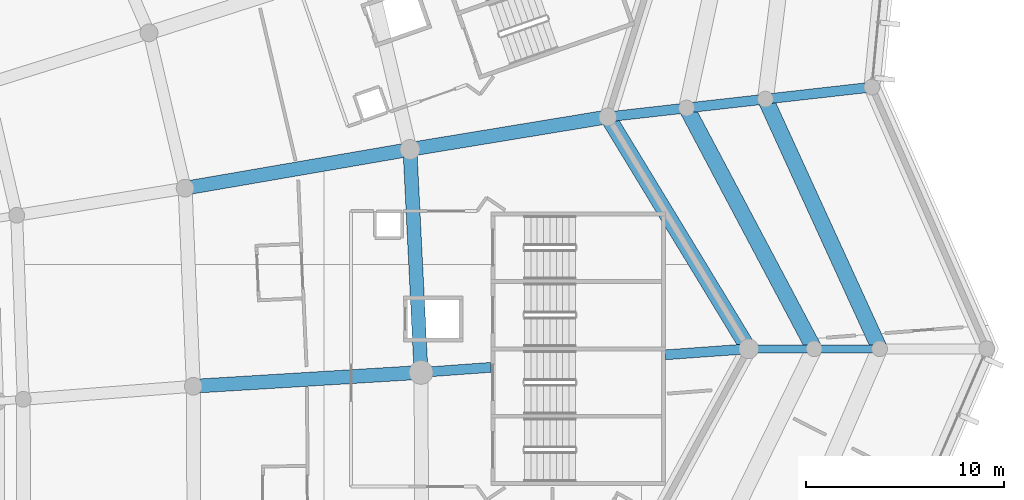
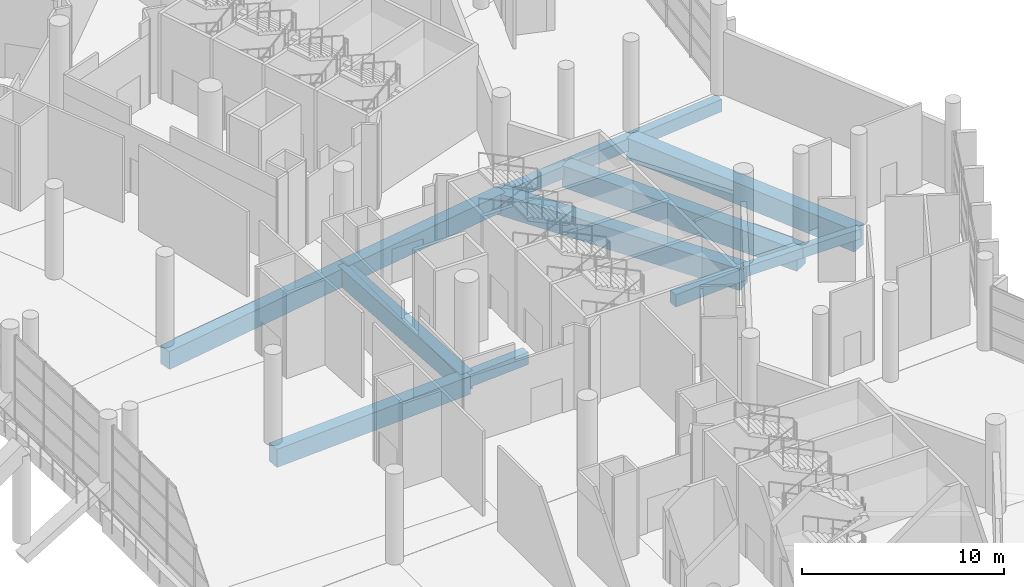
# One storey, part 100 of 271: 14 beams.
"""IFC4 building model written with IfcOpenShell, lengths in metres."""

from ifc_helpers import new_model, si_unit, direction, frame, origin, origin_2d, place, context, subcontext, project, spatial, rectangle, extrude, material, material_profile, profile_set, type_object, element, save


model = new_model("IFC4")

# Units and contexts
model_context = context("Model", 3, precision=1e-05, world=origin(), true_north=direction((0.0, 1.0)))
body_context = subcontext(model_context, "Body", "Model", "MODEL_VIEW")
ifc_project = project(units=[si_unit("LENGTHUNIT", "METRE"), si_unit("AREAUNIT", "SQUARE_METRE"), si_unit("VOLUMEUNIT", "CUBIC_METRE"), si_unit("PLANEANGLEUNIT", "RADIAN"), si_unit("MASSUNIT", "GRAM", prefix="KILO")], contexts=[model_context])

# Site, building, storey
site_placement = place(None, origin())
site = spatial("IfcSite", under=ifc_project, at=site_placement, CompositionType="ELEMENT")
building_placement = place(site_placement, origin())
building = spatial("IfcBuilding", under=site, at=building_placement, Name="Meseta Stadium", CompositionType="ELEMENT")
storey_placement = place(building_placement, frame((0.0, 0.0, 6.5)))
storey = spatial("IfcBuildingStorey", under=building, at=storey_placement, Name="L01", CompositionType="ELEMENT", Elevation=6.5)

# Beams
ifc_material_1 = material(Name="Concrete C40/50", Category="concrete")
ifc_material_profile_1 = material_profile(ifc_material_1, rectangle(XDim=0.39990234375, YDim=0.60009765625, at=origin_2d()), Name="RC 400x600")
ifc_profile_set_1 = profile_set([ifc_material_profile_1], Name="Concrete C40/50")
beam_type_1 = type_object("IfcBeamType", Name="RC beam 400x600", PredefinedType="BEAM", material=ifc_profile_set_1)
for number, where, z_axis, x_axis, name in (
    (1, (101.39990234375, 43.75, -0.64990234375), (1.0, 0.0, 0.0), (0.0, 1.0, 0.0), "L01 radial beam frame 8 line R to M"),
    (2, (104.699951171875, 43.75, -0.64990234375), (1.0, 0.0, 0.0), (0.0, 1.0, 0.0), "L01 radial beam frame 8 line M to Q"),
):
    element("IfcBeam", number, at=place(storey_placement, frame(where, z_axis=z_axis, x_axis=x_axis)), inside=storey, type_object=beam_type_1, Name=name, PredefinedType="BEAM", context=body_context, shape_type="SweptSolid", body=[
        extrude(rectangle(XDim=0.39990234375, YDim=0.60009765625, at=origin_2d()), origin(), (0.0, 0.0, 1.0), 3.300048828125),
    ])
ifc_material_2 = material(Name="Concrete C40/50", Category="concrete")
ifc_material_profile_2 = material_profile(ifc_material_2, rectangle(XDim=0.5, YDim=0.75, at=origin_2d()), Name="RC 500x750")
ifc_profile_set_2 = profile_set([ifc_material_profile_2], Name="Concrete C40/50")
beam_type_2 = type_object("IfcBeamType", Name="RC beam 500x750", PredefinedType="BEAM", material=ifc_profile_set_2)
beam_1_placement = place(storey_placement, frame((84.884033203125, 42.5615234375, -0.72509765625), z_axis=(0.997422358581, 0.071754014547, 0.0), x_axis=(-0.071754014547, 0.997422358581, 0.0)))
element("IfcBeam", 3, at=beam_1_placement, inside=storey, type_object=beam_type_2, Name="L01 radial beam frame 8 line P to R", PredefinedType="BEAM", context=body_context, shape_type="SweptSolid", body=[
    extrude(rectangle(XDim=0.5, YDim=0.75, at=origin_2d()), origin(), (0.0, 0.0, 1.0), 3.52490234375),
])
beam_2_placement = place(storey_placement, frame((97.199951171875, 43.44775390625, -0.72509765625), z_axis=(0.997420591967, 0.071778567276, 0.0), x_axis=(-0.071778567276, 0.997420591967, 0.0)))
element("IfcBeam", 4, at=beam_2_placement, inside=storey, type_object=beam_type_2, Name="L01 radial beam frame 8 line P to R", PredefinedType="BEAM", context=body_context, shape_type="SweptSolid", body=[
    extrude(rectangle(XDim=0.5, YDim=0.75, at=origin_2d()), origin(), (0.0, 0.0, 1.0), 4.210693359375),
])
for number, where, z_axis, x_axis, name in (
    (5, (94.29443359375, 55.44140625, -0.72509765625), (0.993708325891, 0.111998942203, 0.0), (-0.111998942203, 0.993708325891, 0.0), "L01 radial beam frame 9 line R to M"),
    (6, (98.269287109375, 55.889404296875, -0.72509765625), (0.993715116939, 0.111938672346, 0.0), (-0.111938672346, 0.993715116939, 0.0), "L01 radial beam frame 9 line M to Q"),
):
    element("IfcBeam", number, at=place(storey_placement, frame(where, z_axis=z_axis, x_axis=x_axis)), inside=storey, type_object=beam_type_2, Name=name, PredefinedType="BEAM", context=body_context, shape_type="SweptSolid", body=[
        extrude(rectangle(XDim=0.5, YDim=0.75, at=origin_2d()), origin(), (0.0, 0.0, 1.0), 4.0),
    ])
beam_3_placement = place(storey_placement, frame((102.244140625, 56.337158203125, -0.72509765625), z_axis=(0.993709385305, 0.111989542172, 0.0), x_axis=(-0.111989542172, 0.993709385305, 0.0)))
element("IfcBeam", 7, at=beam_3_placement, inside=storey, type_object=beam_type_2, Name="L01 radial beam frame 9 line Q to O", PredefinedType="BEAM", context=body_context, shape_type="SweptSolid", body=[
    extrude(rectangle(XDim=0.5, YDim=0.75, at=origin_2d()), origin(), (0.0, 0.0, 1.0), 5.39990234375),
])
ifc_material_3 = material(Name="Concrete C40/50", Category="concrete")
ifc_material_profile_3 = material_profile(ifc_material_3, rectangle(XDim=0.699951171875, YDim=1.10009765625, at=origin_2d()), Name="RC 700x1100")
ifc_profile_set_3 = profile_set([ifc_material_profile_3], Name="Concrete C40/50")
beam_type_3 = type_object("IfcBeamType", Name="RC beam 700x1100", PredefinedType="BEAM", material=ifc_profile_set_3)
beam_4_placement = place(storey_placement, frame((84.884033203125, 42.5615234375, -0.89990234375), z_axis=(-0.049657379323, 0.998766311346, 0.0), x_axis=(-0.998766311346, -0.049657379323, 0.0)))
element("IfcBeam", 8, at=beam_4_placement, inside=storey, type_object=beam_type_3, Name="L01 ring beam frame 8 line P", PredefinedType="BEAM", context=body_context, shape_type="SweptSolid", body=[
    extrude(rectangle(XDim=0.699951171875, YDim=1.10009765625, at=origin_2d()), origin(), (0.0, 0.0, 1.0), 11.25390625),
])
beam_5_placement = place(storey_placement, frame((73.40478515625, 41.8623046875, -0.89990234375), z_axis=(0.998150037989, 0.060798862349, 0.0), x_axis=(-0.060798862349, 0.998150037989, 0.0)))
element("IfcBeam", 9, at=beam_5_placement, inside=storey, type_object=beam_type_3, Name="L01 radial beam frame 8 line E to P", PredefinedType="BEAM", context=body_context, shape_type="SweptSolid", body=[
    extrude(rectangle(XDim=0.699951171875, YDim=1.10009765625, at=origin_2d()), origin(), (0.0, 0.0, 1.0), 11.50048828125),
])
beam_6_placement = place(storey_placement, frame((72.9921875, 51.84716796875, -0.89990234375), z_axis=(0.985454599583, 0.169938907145, 0.0), x_axis=(-0.169938907145, 0.985454599583, 0.0)))
element("IfcBeam", 10, at=beam_6_placement, inside=storey, type_object=beam_type_3, Name="L01 radial beam frame 9 line E to P", PredefinedType="BEAM", context=body_context, shape_type="SweptSolid", body=[
    extrude(rectangle(XDim=0.699951171875, YDim=1.10009765625, at=origin_2d()), origin(), (0.0, 0.0, 1.0), 11.500244140625),
])
beam_7_placement = place(storey_placement, frame((84.3251953125, 53.801513671875, -0.89990234375), z_axis=(0.986739169318, 0.162313929576, 0.0), x_axis=(-0.162313929576, 0.986739169318, 0.0)))
element("IfcBeam", 11, at=beam_7_placement, inside=storey, type_object=beam_type_3, Name="L01 radial beam frame 9 line P to R", PredefinedType="BEAM", context=body_context, shape_type="SweptSolid", body=[
    extrude(rectangle(XDim=0.699951171875, YDim=1.10009765625, at=origin_2d()), origin(), (0.0, 0.0, 1.0), 10.103271484375),
])
ifc_material_4 = material(Name="Concrete C40/50", Category="concrete")
ifc_material_profile_4 = material_profile(ifc_material_4, rectangle(XDim=0.800048828125, YDim=1.300048828125, at=origin_2d()), Name="RC 800x1300")
ifc_profile_set_4 = profile_set([ifc_material_profile_4], Name="Concrete C40/50")
beam_type_4 = type_object("IfcBeamType", Name="RC beam 800x1300", PredefinedType="BEAM", material=ifc_profile_set_4)
beam_8_placement = place(storey_placement, frame((101.39990234375, 43.75, -1.0), z_axis=(-0.519358064651, 0.854556727598, 0.0), x_axis=(-0.854556727598, -0.519358064651, 0.0)))
element("IfcBeam", 12, at=beam_8_placement, inside=storey, type_object=beam_type_4, Name="L01 ring beam frame 8 line R", PredefinedType="BEAM", context=body_context, shape_type="SweptSolid", body=[
    extrude(rectangle(XDim=0.800048828125, YDim=1.300048828125, at=origin_2d()), origin(), (0.0, 0.0, 1.0), 13.68115234375),
])
beam_9_placement = place(storey_placement, frame((104.699951171875, 43.75, -1.0), z_axis=(-0.468110622218, 0.88366987352, 0.0), x_axis=(-0.88366987352, -0.468110622218, 0.0)))
element("IfcBeam", 13, at=beam_9_placement, inside=storey, type_object=beam_type_4, Name="L01 ring beam frame 8 line M", PredefinedType="BEAM", context=body_context, shape_type="SweptSolid", body=[
    extrude(rectangle(XDim=0.800048828125, YDim=1.300048828125, at=origin_2d()), origin(), (0.0, 0.0, 1.0), 13.737548828125),
])
beam_10_placement = place(storey_placement, frame((108.0, 43.75, -1.0), z_axis=(-0.415863139592, 0.909427209363, 0.0), x_axis=(-0.909427209363, -0.415863139592, 0.0)))
element("IfcBeam", 14, at=beam_10_placement, inside=storey, type_object=beam_type_4, Name="L01 ring beam frame 8 line Q", PredefinedType="BEAM", context=body_context, shape_type="SweptSolid", body=[
    extrude(rectangle(XDim=0.800048828125, YDim=1.300048828125, at=origin_2d()), origin(), (0.0, 0.0, 1.0), 13.8408203125),
])

save(model, "model.ifc")
